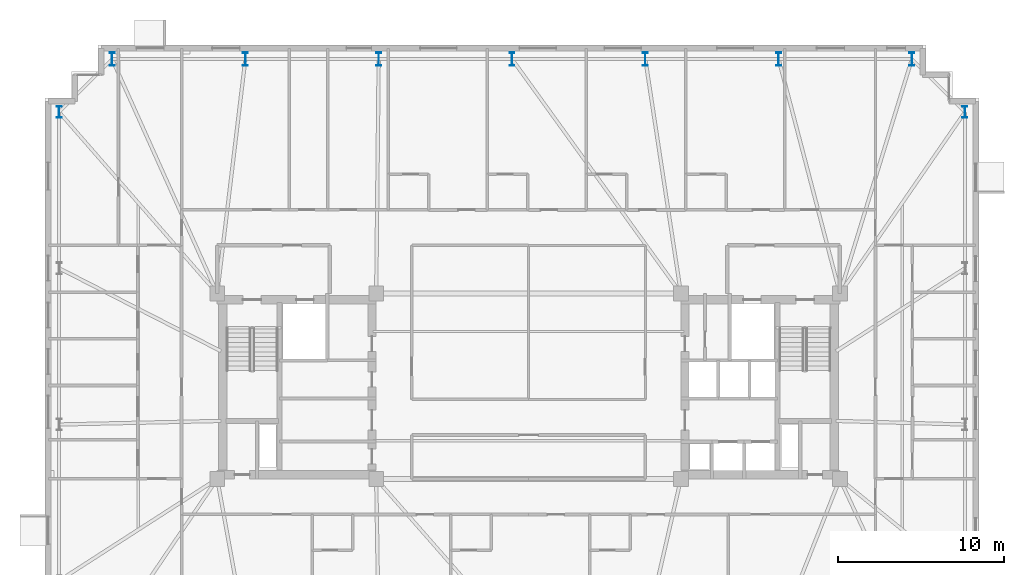
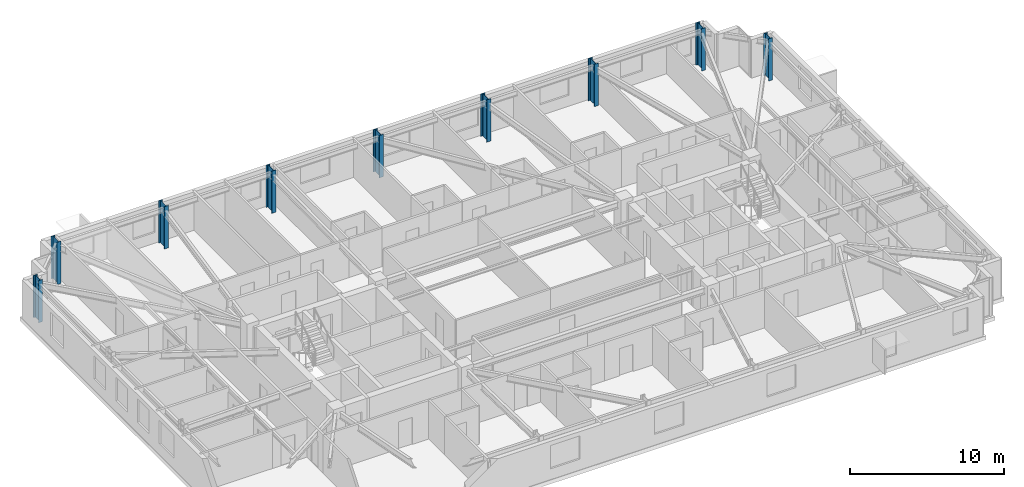
# One storey, part 2 of 19: 9 columns.
"""IFC4 building model written with IfcOpenShell, lengths in metres."""

import ifcopenshell
import ifcopenshell.guid

model = None  # the IFC model being written
_history = None  # IfcOwnerHistory: only IFC2X3 demands one
_inside = {}  # id of a spatial element -> (the spatial element, [elements in it])
_under = {}  # id of a project, library or spatial element -> (it, [spatial elements below it])
_declared = {}  # id of a project -> (the project, [libraries it declares])
_typed = {}  # id of a type object -> (the type object, [elements of that type])
_made_of = {}  # id of a material, layer set ... -> (it, [elements and type objects made of it])


def new_model(schema):
    """Start an empty IFC model of exactly this schema.

    Asked for "IFC4X3", IfcOpenShell would pick the latest addendum, in which some entities
    have other attributes; the version numbers below select the first issue.
    IFC2X3 requires an IfcOwnerHistory on every rooted entity: one is made here for all.
    """
    global model, _history
    if schema == "IFC4X3":
        model = ifcopenshell.file(schema_version=(4, 3, 0, 0))
    else:
        model = ifcopenshell.file(schema=schema)
    _inside.clear()
    _under.clear()
    _declared.clear()
    _typed.clear()
    _made_of.clear()
    _history = None
    if model.schema == "IFC2X3":
        org = make("IfcOrganization", Name="unknown")
        user = make(
            "IfcPersonAndOrganization",
            ThePerson=make("IfcPerson", FamilyName="unknown"),
            TheOrganization=org,
        )
        app = make(
            "IfcApplication",
            ApplicationDeveloper=org,
            Version="unknown",
            ApplicationFullName="unknown",
            ApplicationIdentifier="unknown",
        )
        _history = make(
            "IfcOwnerHistory",
            OwningUser=user,
            OwningApplication=app,
            ChangeAction="ADDED",
            CreationDate=0,
        )
    return model


def make(cls, **values):
    """One entity of the class cls with the attributes given. An attribute that is None is left unset."""
    return model.create_entity(
        cls, **{name: value for name, value in values.items() if value is not None}
    )


def rooted(cls, **values):
    """An entity with a GlobalId (a new one), such as an element, a storey or a relation."""
    return make(cls, GlobalId=ifcopenshell.guid.new(), OwnerHistory=_history, **values)


def si_unit(unit_type, name, prefix=None):
    """IfcSIUnit, for example si_unit("LENGTHUNIT", "METRE", prefix="MILLI")."""
    return make("IfcSIUnit", UnitType=unit_type, Prefix=prefix, Name=name)


def assignment(units):
    """IfcUnitAssignment: the units of a project."""
    return None if units is None else make("IfcUnitAssignment", Units=units)


def point(xyz):
    """IfcCartesianPoint."""
    return None if xyz is None else make("IfcCartesianPoint", Coordinates=xyz)


def direction(xyz):
    """IfcDirection."""
    return None if xyz is None else make("IfcDirection", DirectionRatios=xyz)


def frame(location, z_axis=None, x_axis=None):
    """IfcAxis2Placement3D, a coordinate frame: its origin and axes. An axis left out is left unset."""
    return make(
        "IfcAxis2Placement3D",
        Location=point(location),
        Axis=direction(z_axis),
        RefDirection=direction(x_axis),
    )


def frame_2d(location, x_axis=None):
    """IfcAxis2Placement2D, a coordinate frame in the plane: its origin and x axis."""
    return make(
        "IfcAxis2Placement2D", Location=point(location), RefDirection=direction(x_axis)
    )


def origin():
    """The frame at (0, 0, 0) with its axes left unset."""
    return frame((0.0, 0.0, 0.0))


def origin_2d():
    """The frame at (0, 0) in the plane with its x axis left unset."""
    return frame_2d((0.0, 0.0))


def place(relative_to, where):
    """IfcLocalPlacement: puts the frame where relative to a parent placement (None: the world)."""
    return make(
        "IfcLocalPlacement", PlacementRelTo=relative_to, RelativePlacement=where
    )


def context(
    kind, dimensions, precision=None, world=None, true_north=None, identifier=None
):
    """IfcGeometricRepresentationContext, for example the 3D "Model" context."""
    return make(
        "IfcGeometricRepresentationContext",
        ContextIdentifier=identifier,
        ContextType=kind,
        CoordinateSpaceDimension=dimensions,
        Precision=precision,
        WorldCoordinateSystem=world,
        TrueNorth=true_north,
    )


def subcontext(parent, identifier, kind, view, scale=None):
    """IfcGeometricRepresentationSubContext, for example "Body" below "Model"."""
    return make(
        "IfcGeometricRepresentationSubContext",
        ContextIdentifier=identifier,
        ContextType=kind,
        ParentContext=parent,
        TargetScale=scale,
        TargetView=view,
    )


def project(units=None, contexts=None):
    """IfcProject with its units and contexts."""
    return rooted(
        "IfcProject",
        Name="project",
        RepresentationContexts=contexts,
        UnitsInContext=assignment(units),
    )


def spatial(cls, under=None, at=None, **own):
    """A site, building, storey or space (cls), placed at a placement, below another one or the project."""
    s = rooted(cls, ObjectPlacement=at, **own)
    if under is not None:
        _under.setdefault(under.id(), (under, []))[1].append(s)
    return s


def profile(cls, at=None, kind="AREA", **sizes):
    """A parametric profile (cls). Its sizes go by their IFC names, for example OverallWidth=200.0."""
    return make(cls, ProfileType=kind, Position=at, **sizes)


def i_section(**sizes):
    """IfcIShapeProfileDef."""
    return profile("IfcIShapeProfileDef", **sizes)


def extrude(swept, where, along, depth):
    """IfcExtrudedAreaSolid: the profile swept, set in the frame where, extruded along a direction by depth."""
    return make(
        "IfcExtrudedAreaSolid",
        SweptArea=swept,
        Position=where,
        ExtrudedDirection=direction(along),
        Depth=depth,
    )


def shape(context_of_items, identifier, shape_type, items):
    """IfcShapeRepresentation: the items that make up one representation, for example the "Body"."""
    return make(
        "IfcShapeRepresentation",
        ContextOfItems=context_of_items,
        RepresentationIdentifier=identifier,
        RepresentationType=shape_type,
        Items=items,
    )


def material(Name=None, Category=None):
    """IfcMaterial."""
    return make("IfcMaterial", Name=Name, Category=Category)


def material_profile(
    of_material, cross_section, Name=None, Category=None, Priority=None
):
    """IfcMaterialProfile: a cross section and its material."""
    return make(
        "IfcMaterialProfile",
        Name=Name,
        Material=of_material,
        Profile=cross_section,
        Priority=Priority,
        Category=Category,
    )


def profile_set(profiles, Name=None, composite=None):
    """IfcMaterialProfileSet."""
    return make(
        "IfcMaterialProfileSet",
        Name=Name,
        MaterialProfiles=profiles,
        CompositeProfile=composite,
    )


def made_of(thing, what):
    """Note that an element or type object is made of a material, layer set ...; save() writes the relation."""
    if what is not None:
        _made_of.setdefault(what.id(), (what, []))[1].append(thing)
    return thing


def type_object(cls, material=None, **own):
    """A type object (cls), such as IfcWallType, which elements share."""
    return made_of(rooted(cls, **own), material)


def element(
    cls,
    number,
    at=None,
    inside=None,
    cuts=None,
    type_object=None,
    material=None,
    context=None,
    identifier="Body",
    shape_type=None,
    held_by="IfcProductDefinitionShape",
    body=None,
    shapes=None,
    **own,
):
    """One element of the class cls, such as IfcWall. Its Tag is "e" and its number.

    at: its placement. inside: the storey or other place that contains it. cuts: it is an
    opening in that element (IfcRelVoidsElement). A single representation is given by context,
    identifier, shape_type and body (its items); several are given by shapes. held_by: the class
    of the entity that holds the representations. save() writes the other relations.
    """
    e = rooted(cls, Tag="e%d" % number, ObjectPlacement=at, **own)
    if body is not None:
        shapes = [shape(context, identifier, shape_type, body)]
    if shapes is not None:
        e.Representation = make(held_by, Representations=shapes)
    if inside is not None:
        _inside.setdefault(inside.id(), (inside, []))[1].append(e)
    if cuts is not None:
        rooted(
            "IfcRelVoidsElement", RelatingBuildingElement=cuts, RelatedOpeningElement=e
        )
    if type_object is not None:
        _typed.setdefault(type_object.id(), (type_object, []))[1].append(e)
    return made_of(e, material)


def aggregate(whole, parts):
    """IfcRelAggregates: a whole, such as a stair, and the parts it consists of."""
    return rooted("IfcRelAggregates", RelatingObject=whole, RelatedObjects=parts)


def save(model, path):
    """Write the relations noted so far, then the file.

    IfcRelAggregates (storeys below a building ...), IfcRelContainedInSpatialStructure (elements
    in a storey), IfcRelDefinesByType, IfcRelAssociatesMaterial and IfcRelDeclares: one each for
    every whole, place, type object, material and project.
    """
    for whole, parts in _under.values():
        aggregate(whole, parts)
    for where, things in _inside.values():
        rooted(
            "IfcRelContainedInSpatialStructure",
            RelatedElements=things,
            RelatingStructure=where,
        )
    for kind, things in _typed.values():
        rooted("IfcRelDefinesByType", RelatedObjects=things, RelatingType=kind)
    for what, things in _made_of.values():
        rooted("IfcRelAssociatesMaterial", RelatedObjects=things, RelatingMaterial=what)
    for by, libraries in _declared.values():
        rooted("IfcRelDeclares", RelatingContext=by, RelatedDefinitions=libraries)
    model.write(path)


model = new_model("IFC4")

# Units and contexts
model_context = context("Model", 3, precision=1e-05, world=origin(), true_north=direction((0.0, 1.0)))
body_context = subcontext(model_context, "Body", "Model", "MODEL_VIEW")
ifc_project = project(units=[si_unit("LENGTHUNIT", "METRE"), si_unit("AREAUNIT", "SQUARE_METRE"), si_unit("VOLUMEUNIT", "CUBIC_METRE"), si_unit("PLANEANGLEUNIT", "RADIAN"), si_unit("MASSUNIT", "GRAM", prefix="KILO")], contexts=[model_context])

# Site, building, storey
site_placement = place(None, origin())
site = spatial("IfcSite", under=ifc_project, at=site_placement, CompositionType="ELEMENT")
building_placement = place(site_placement, origin())
building = spatial("IfcBuilding", under=site, at=building_placement, Name="Qobustan Lattice House", CompositionType="ELEMENT")
storey_placement = place(building_placement, frame((0.0, 0.0, 137.699951171875)))
storey = spatial("IfcBuildingStorey", under=building, at=storey_placement, Name="L38", CompositionType="ELEMENT", Elevation=137.699951171875)

# Columns
ifc_material_1 = material(Name="Steel S355", Category="steel")
ifc_material_profile_1 = material_profile(ifc_material_1, i_section(OverallWidth=0.300048828125, OverallDepth=0.699951171875, WebThickness=0.01708984375, FlangeThickness=0.031982421875, FilletRadius=0.027099609375, at=origin_2d()), Name="HEB700")
ifc_profile_set_1 = profile_set([ifc_material_profile_1], Name="Steel S355")
column_type_1 = type_object("IfcColumnType", Name="COL-ST-HEB700", PredefinedType="COLUMN", material=ifc_profile_set_1)
for number, where, z_axis, x_axis, name in (
    (1, (26.35009765625, 16.550048828125, 0.0), (0.0, 0.0, 1.0), (1.0, 0.0, 0.0), "L38 B3 perimeter column E4"),
    (2, (-28.35009765625, 16.550048828125, 0.0), (0.0, 0.0, 1.0), (1.0, 0.0, 0.0), "L38 B3 perimeter column W1"),
):
    element("IfcColumn", number, at=place(storey_placement, frame(where, z_axis=z_axis, x_axis=x_axis)), inside=storey, type_object=column_type_1, Name=name, PredefinedType="COLUMN", context=body_context, shape_type="SweptSolid", body=[
        extrude(i_section(OverallWidth=0.300048828125, OverallDepth=0.699951171875, WebThickness=0.01708984375, FlangeThickness=0.031982421875, FilletRadius=0.027099609375, at=origin_2d()), origin(), (0.0, 0.0, 1.0), 3.35009765625),
    ])
ifc_material_2 = material(Name="Steel S355", Category="steel")
ifc_material_profile_2 = material_profile(ifc_material_2, i_section(OverallWidth=0.300048828125, OverallDepth=0.800048828125, WebThickness=0.017578125, FlangeThickness=0.032958984375, FilletRadius=0.030029296875, at=origin_2d()), Name="HEB800")
ifc_profile_set_2 = profile_set([ifc_material_profile_2], Name="Steel S355")
column_type_2 = type_object("IfcColumnType", Name="COL-ST-HEB800", PredefinedType="COLUMN", material=ifc_profile_set_2)
for number, where, z_axis, x_axis, name in (
    (3, (23.14990234375, 19.75, 0.0), (0.0, 0.0, 1.0), (1.0, 0.0, 0.0), "L38 B3 perimeter column N1"),
    (4, (15.10009765625, 19.75, 0.0), (0.0, 0.0, 1.0), (1.0, 0.0, 0.0), "L38 B3 perimeter column N2"),
    (5, (7.050048828125, 19.75, 0.0), (0.0, 0.0, 1.0), (1.0, 0.0, 0.0), "L38 B3 perimeter column N3"),
    (6, (-1.0, 19.75, 0.0), (0.0, 0.0, 1.0), (1.0, 0.0, 0.0), "L38 B3 perimeter column N4"),
    (7, (-9.050048828125, 19.75, 0.0), (0.0, 0.0, 1.0), (1.0, 0.0, 0.0), "L38 B3 perimeter column N5"),
    (8, (-17.10009765625, 19.75, 0.0), (0.0, 0.0, 1.0), (1.0, 0.0, 0.0), "L38 B3 perimeter column N6"),
    (9, (-25.14990234375, 19.75, 0.0), (0.0, 0.0, 1.0), (1.0, 0.0, 0.0), "L38 B3 perimeter column N7"),
):
    element("IfcColumn", number, at=place(storey_placement, frame(where, z_axis=z_axis, x_axis=x_axis)), inside=storey, type_object=column_type_2, Name=name, PredefinedType="COLUMN", context=body_context, shape_type="SweptSolid", body=[
        extrude(i_section(OverallWidth=0.300048828125, OverallDepth=0.800048828125, WebThickness=0.017578125, FlangeThickness=0.032958984375, FilletRadius=0.030029296875, at=origin_2d()), origin(), (0.0, 0.0, 1.0), 3.35009765625),
    ])

save(model, "model.ifc")
